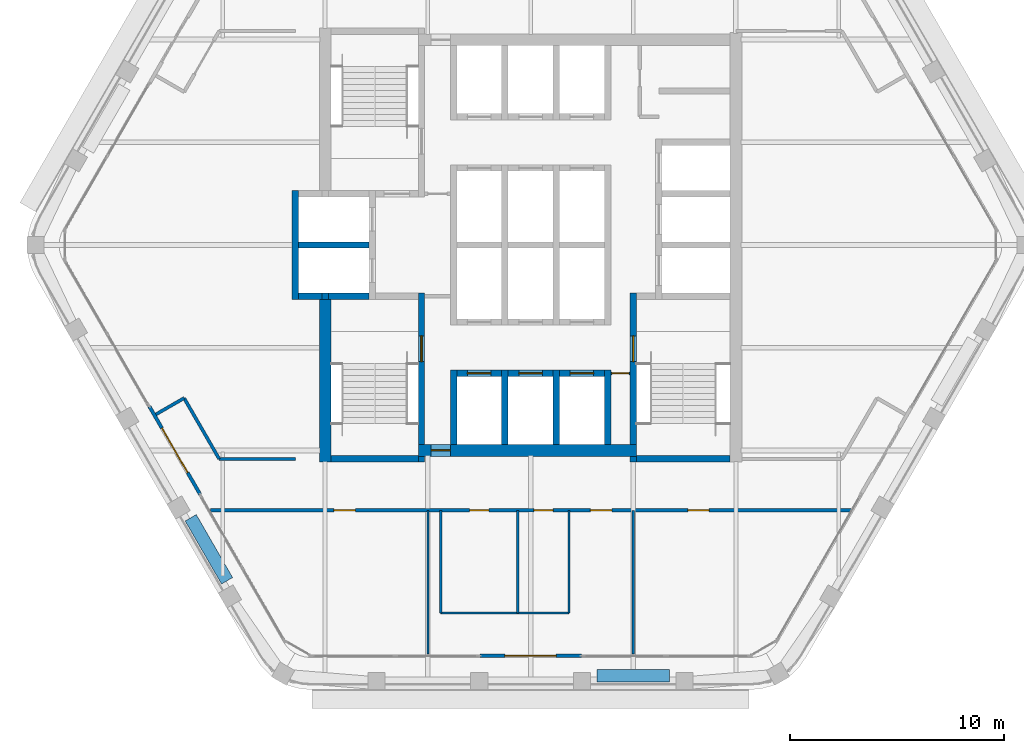
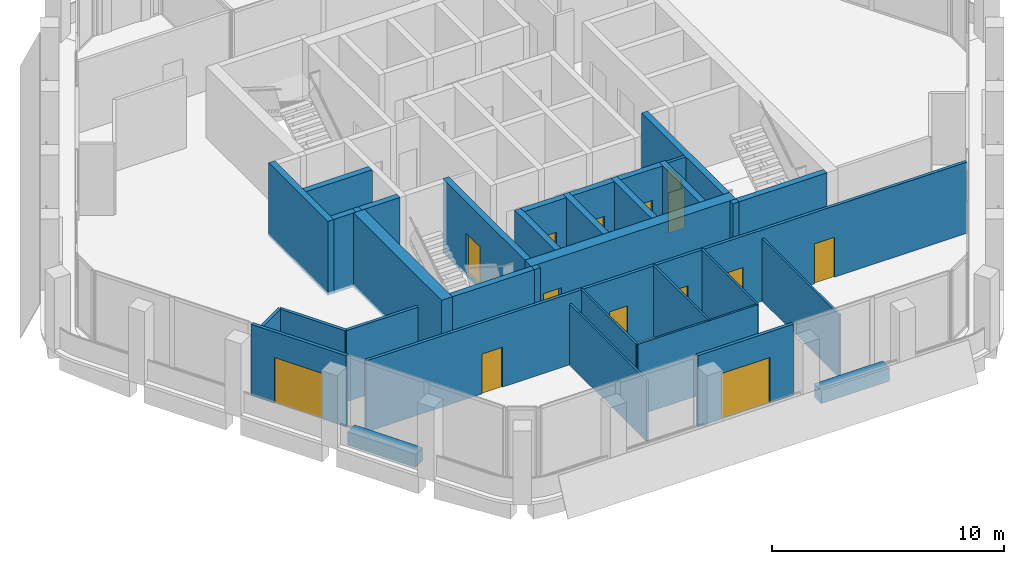
# One storey, part 10 of 16: 35 walls, 14 doors, 14 openings.
"""IFC4 building model written with IfcOpenShell, lengths in metres."""

from ifc_helpers import new_model, si_unit, direction, frame, frame_2d, origin, place, context, subcontext, project, spatial, rectangle, extrude, material, layer, layer_set, type_object, element, fill, save


model = new_model("IFC4")

# Units and contexts
model_context = context("Model", 3, precision=1e-05, world=origin(), true_north=direction((0.0, 1.0)))
body_context = subcontext(model_context, "Body", "Model", "MODEL_VIEW")
ifc_project = project(units=[si_unit("LENGTHUNIT", "METRE"), si_unit("AREAUNIT", "SQUARE_METRE"), si_unit("VOLUMEUNIT", "CUBIC_METRE"), si_unit("PLANEANGLEUNIT", "RADIAN"), si_unit("MASSUNIT", "GRAM", prefix="KILO")], contexts=[model_context])

# Site, building, storey
site_placement = place(None, origin())
site = spatial("IfcSite", under=ifc_project, at=site_placement, CompositionType="ELEMENT")
building_placement = place(site_placement, origin())
building = spatial("IfcBuilding", under=site, at=building_placement, Name="Kolab Exchange Tower", CompositionType="ELEMENT")
storey_placement = place(building_placement, frame((0.0, 0.0, 269.60009765625)))
storey = spatial("IfcBuildingStorey", under=building, at=storey_placement, Name="L60", CompositionType="ELEMENT", Elevation=269.60009765625)

# Wall, opening, door
ifc_material_1 = material(Name="Concrete C50/60", Category="concrete")
ifc_layer_1 = layer(ifc_material_1, 0.550048828125)
ifc_layer_set_1 = layer_set([ifc_layer_1], Name="Concrete C50/60")
wall_type_1 = type_object("IfcWallType", Name="CORE WALL 550 C50/60", PredefinedType="SHEAR", material=ifc_layer_set_1)
wall_1_placement = place(storey_placement, frame((-5.25, -9.60009765625, -0.150146484375), z_axis=(0.0, 0.0, 1.0), x_axis=(1.0, 0.0, 0.0)))
wall_1 = element("IfcWall", 1, at=wall_1_placement, inside=storey, type_object=wall_type_1, Name="wall/L60/core/002", PredefinedType="SHEAR", context=body_context, shape_type="SweptSolid", body=[
    extrude(rectangle(XDim=10.199951171875, YDim=0.550048828125, at=frame_2d((5.10009765625, 0.0))), origin(), (0.0, 0.0, 1.0), 3.900146484375),
])
opening_1_placement = place(wall_1_placement, frame((0.60009765625, 0.0, 0.14990234375)))
opening_1 = element("IfcOpeningElement", 2, at=opening_1_placement, cuts=wall_1, Name="Opening D6-297", PredefinedType="OPENING", context=body_context, shape_type="SweptSolid", body=[
    extrude(rectangle(XDim=0.89990234375, YDim=2.10009765625, at=frame_2d((0.449951171875, 1.050048828125))), frame((0.0, 0.28515625, 0.0), z_axis=(0.0, -1.0, 0.0), x_axis=(1.0, 0.0, 0.0)), (0.0, 0.0, 1.0), 0.570068359375),
])
ifc_material_2 = material(Name="Steel S235", Category="steel")
door_type_1 = type_object("IfcDoorType", Name="CORE DOOR 900 EI 120", OperationType="SINGLE_SWING_LEFT", PredefinedType="DOOR", material=ifc_material_2)
door_1_placement = place(opening_1_placement, origin())
door_1 = element("IfcDoor", 3, at=door_1_placement, inside=storey, type_object=door_type_1, Name="Core lobby door", OperationType="SINGLE_SWING_RIGHT", OverallHeight=2.10009765625, OverallWidth=0.89990234375, PredefinedType="DOOR", context=body_context, shape_type="SweptSolid", body=[
    extrude(rectangle(XDim=0.89990234375, YDim=2.10009765625, at=frame_2d((0.449951171875, 1.050048828125))), frame((0.0, 0.02490234375, 0.0), z_axis=(0.0, -1.0, 0.0), x_axis=(1.0, 0.0, 0.0)), (0.0, 0.0, 1.0), 0.050048828125),
])
fill(opening_1, door_1)

# Wall
wall_2_placement = place(storey_placement, frame((-9.60009765625, -10.14990234375, -0.150146484375), z_axis=(0.0, 0.0, 1.0), x_axis=(0.0, 1.0, 0.0)))
element("IfcWall", 4, at=wall_2_placement, inside=storey, type_object=wall_type_1, Name="wall/L60/core/034", PredefinedType="SHEAR", context=body_context, shape_type="SweptSolid", body=[
    extrude(rectangle(XDim=7.599853515625, YDim=0.550048828125, at=frame_2d((3.7998046875, 0.0))), origin(), (0.0, 0.0, 1.0), 3.900146484375),
])

# Wall, opening, door
ifc_material_3 = material(Name="Aluminium EN AW-6063 T6", Category="aluminium")
ifc_layer_2 = layer(ifc_material_3, 0.159912109375)
ifc_layer_set_2 = layer_set([ifc_layer_2], Name="Aluminium EN AW-6063 T6")
wall_type_2 = type_object("IfcWallType", Name="DOOR SURROUND WALL 160 ALUMINIUM FRAMED", PredefinedType="PARTITIONING", material=ifc_layer_set_2)
wall_3_placement = place(storey_placement, frame((2.3701171875, -19.20458984375, 0.0), z_axis=(0.0, 0.0, 1.0), x_axis=(-1.0, 0.0, 0.0)))
wall_3 = element("IfcWall", 5, at=wall_3_placement, inside=storey, type_object=wall_type_2, Name="Door surround wall", PredefinedType="PARTITIONING", context=body_context, shape_type="SweptSolid", body=[
    extrude(rectangle(XDim=4.740234375, YDim=0.159912109375, at=frame_2d((2.3701171875, 0.0))), origin(), (0.0, 0.0, 1.0), 3.75),
])
opening_2_placement = place(wall_3_placement, frame((1.169921875, 0.0, 0.0)))
opening_2 = element("IfcOpeningElement", 6, at=opening_2_placement, cuts=wall_3, Name="Opening GD1-092", PredefinedType="OPENING", context=body_context, shape_type="SweptSolid", body=[
    extrude(rectangle(XDim=2.39990234375, YDim=2.39990234375, at=frame_2d((1.199951171875, 1.199951171875))), frame((0.0, 0.08984375, 0.0), z_axis=(0.0, -1.0, 0.0), x_axis=(1.0, 0.0, 0.0)), (0.0, 0.0, 1.0), 0.179931640625),
])
door_type_2 = type_object("IfcDoorType", Name="LOGGIA SLIDING GLASS DOOR 2400 X 2400", OperationType="DOUBLE_DOOR_SINGLE_SWING", PredefinedType="DOOR", material=ifc_material_3)
door_2_placement = place(opening_2_placement, origin())
door_2 = element("IfcDoor", 7, at=door_2_placement, inside=storey, type_object=door_type_2, Name="Loggia door", OperationType="DOUBLE_DOOR_SLIDING", OverallHeight=2.39990234375, OverallWidth=2.39990234375, PredefinedType="DOOR", context=body_context, shape_type="SweptSolid", body=[
    extrude(rectangle(XDim=2.39990234375, YDim=2.39990234375, at=frame_2d((1.199951171875, 1.199951171875))), frame((0.0, 0.02490234375, 0.0), z_axis=(0.0, -1.0, 0.0), x_axis=(1.0, 0.0, 0.0)), (0.0, 0.0, 1.0), 0.050048828125),
])
fill(opening_2, door_2)

wall_4_placement = place(storey_placement, frame((-15.44677734375, -11.65478515625, 0.0), z_axis=(0.0, 0.0, 1.0), x_axis=(-0.499978080042, 0.866038058908, 0.0)))
wall_4 = element("IfcWall", 8, at=wall_4_placement, inside=storey, type_object=wall_type_2, Name="Door surround wall", PredefinedType="PARTITIONING", context=body_context, shape_type="SweptSolid", body=[
    extrude(rectangle(XDim=4.739990234375, YDim=0.159912109375, at=frame_2d((2.3701171875, 0.0))), origin(), (0.0, 0.0, 1.0), 3.75),
])
opening_3_placement = place(wall_4_placement, frame((1.169921875, 0.0, 0.0)))
opening_3 = element("IfcOpeningElement", 9, at=opening_3_placement, cuts=wall_4, Name="Opening GD1-093", PredefinedType="OPENING", context=body_context, shape_type="SweptSolid", body=[
    extrude(rectangle(XDim=2.39990234375, YDim=2.39990234375, at=frame_2d((1.199951171875, 1.199951171875))), frame((0.0, 0.08984375, 0.0), z_axis=(0.0, -1.0, 0.0), x_axis=(1.0, 0.0, 0.0)), (0.0, 0.0, 1.0), 0.179931640625),
])
door_3_placement = place(opening_3_placement, origin())
door_3 = element("IfcDoor", 10, at=door_3_placement, inside=storey, type_object=door_type_2, Name="Loggia door", OperationType="DOUBLE_DOOR_SLIDING", OverallHeight=2.39990234375, OverallWidth=2.39990234375, PredefinedType="DOOR", context=body_context, shape_type="SweptSolid", body=[
    extrude(rectangle(XDim=2.39990234375, YDim=2.39990234375, at=frame_2d((1.199951171875, 1.199951171875))), frame((0.0, 0.02490234375, 0.0), z_axis=(0.0, -1.0, 0.0), x_axis=(1.0, 0.0, 0.0)), (0.0, 0.0, 1.0), 0.050048828125),
])
fill(opening_3, door_3)

ifc_layer_3 = layer(ifc_material_1, 0.300048828125)
ifc_layer_set_3 = layer_set([ifc_layer_3], Name="Concrete C50/60")
wall_type_3 = type_object("IfcWallType", Name="LIFT SHAFT WALL 300 C50/60", PredefinedType="STANDARD", material=ifc_layer_set_3)
wall_5_placement = place(storey_placement, frame((-3.449951171875, -6.0, -0.150146484375), z_axis=(0.0, 0.0, 1.0), x_axis=(1.0, 0.0, 0.0)))
wall_5 = element("IfcWall", 11, at=wall_5_placement, inside=storey, type_object=wall_type_3, Name="wall/L60/core/003", PredefinedType="STANDARD", context=body_context, shape_type="SweptSolid", body=[
    extrude(rectangle(XDim=2.099853515625, YDim=0.300048828125, at=frame_2d((1.0498046875, 0.0))), origin(), (0.0, 0.0, 1.0), 3.900146484375),
])
opening_4_placement = place(wall_5_placement, frame((0.5, 0.0, 0.14990234375)))
opening_4 = element("IfcOpeningElement", 12, at=opening_4_placement, cuts=wall_5, Name="Opening LD1-110", PredefinedType="OPENING", context=body_context, shape_type="SweptSolid", body=[
    extrude(rectangle(XDim=1.10009765625, YDim=2.10009765625, at=frame_2d((0.550048828125, 1.050048828125))), frame((0.0, 0.16015625, 0.0), z_axis=(0.0, -1.0, 0.0), x_axis=(1.0, 0.0, 0.0)), (0.0, 0.0, 1.0), 0.320068359375),
])
ifc_material_4 = material(Name="Stainless steel 316", Category="steel")
door_type_3 = type_object("IfcDoorType", Name="LANDING DOOR 1100 PASSENGER", OperationType="DOUBLE_DOOR_SLIDING", PredefinedType="DOOR", material=ifc_material_4)
door_4_placement = place(opening_4_placement, origin())
door_4 = element("IfcDoor", 13, at=door_4_placement, inside=storey, type_object=door_type_3, Name="Landing door HR10", OperationType="DOUBLE_DOOR_SLIDING", OverallHeight=2.10009765625, OverallWidth=1.10009765625, PredefinedType="DOOR", context=body_context, shape_type="SweptSolid", body=[
    extrude(rectangle(XDim=1.10009765625, YDim=2.10009765625, at=frame_2d((0.550048828125, 1.050048828125))), frame((0.0, 0.02490234375, 0.0), z_axis=(0.0, -1.0, 0.0), x_axis=(1.0, 0.0, 0.0)), (0.0, 0.0, 1.0), 0.050048828125),
])
fill(opening_4, door_4)

wall_6_placement = place(storey_placement, frame((-1.050048828125, -6.0, -0.150146484375), z_axis=(0.0, 0.0, 1.0), x_axis=(1.0, 0.0, 0.0)))
wall_6 = element("IfcWall", 14, at=wall_6_placement, inside=storey, type_object=wall_type_3, Name="wall/L60/core/004", PredefinedType="STANDARD", context=body_context, shape_type="SweptSolid", body=[
    extrude(rectangle(XDim=2.10009765625, YDim=0.300048828125, at=frame_2d((1.050048828125, 0.0))), origin(), (0.0, 0.0, 1.0), 3.900146484375),
])
opening_5_placement = place(wall_6_placement, frame((0.5, 0.0, 0.14990234375)))
opening_5 = element("IfcOpeningElement", 15, at=opening_5_placement, cuts=wall_6, Name="Opening LD1-111", PredefinedType="OPENING", context=body_context, shape_type="SweptSolid", body=[
    extrude(rectangle(XDim=1.10009765625, YDim=2.10009765625, at=frame_2d((0.550048828125, 1.050048828125))), frame((0.0, 0.16015625, 0.0), z_axis=(0.0, -1.0, 0.0), x_axis=(1.0, 0.0, 0.0)), (0.0, 0.0, 1.0), 0.320068359375),
])
door_5_placement = place(opening_5_placement, origin())
door_5 = element("IfcDoor", 16, at=door_5_placement, inside=storey, type_object=door_type_3, Name="Landing door HR11", OperationType="DOUBLE_DOOR_SLIDING", OverallHeight=2.10009765625, OverallWidth=1.10009765625, PredefinedType="DOOR", context=body_context, shape_type="SweptSolid", body=[
    extrude(rectangle(XDim=1.10009765625, YDim=2.10009765625, at=frame_2d((0.550048828125, 1.050048828125))), frame((0.0, 0.02490234375, 0.0), z_axis=(0.0, -1.0, 0.0), x_axis=(1.0, 0.0, 0.0)), (0.0, 0.0, 1.0), 0.050048828125),
])
fill(opening_5, door_5)

wall_7_placement = place(storey_placement, frame((1.35009765625, -6.0, -0.150146484375), z_axis=(0.0, 0.0, 1.0), x_axis=(1.0, 0.0, 0.0)))
wall_7 = element("IfcWall", 17, at=wall_7_placement, inside=storey, type_object=wall_type_3, Name="wall/L60/core/005", PredefinedType="STANDARD", context=body_context, shape_type="SweptSolid", body=[
    extrude(rectangle(XDim=2.099853515625, YDim=0.300048828125, at=frame_2d((1.0498046875, 0.0))), origin(), (0.0, 0.0, 1.0), 3.900146484375),
])
opening_6_placement = place(wall_7_placement, frame((0.5, 0.0, 0.14990234375)))
opening_6 = element("IfcOpeningElement", 18, at=opening_6_placement, cuts=wall_7, Name="Opening LD1-112", PredefinedType="OPENING", context=body_context, shape_type="SweptSolid", body=[
    extrude(rectangle(XDim=1.10009765625, YDim=2.10009765625, at=frame_2d((0.550048828125, 1.050048828125))), frame((0.0, 0.16015625, 0.0), z_axis=(0.0, -1.0, 0.0), x_axis=(1.0, 0.0, 0.0)), (0.0, 0.0, 1.0), 0.320068359375),
])
door_6_placement = place(opening_6_placement, origin())
door_6 = element("IfcDoor", 19, at=door_6_placement, inside=storey, type_object=door_type_3, Name="Landing door HR12", OperationType="DOUBLE_DOOR_SLIDING", OverallHeight=2.10009765625, OverallWidth=1.10009765625, PredefinedType="DOOR", context=body_context, shape_type="SweptSolid", body=[
    extrude(rectangle(XDim=1.10009765625, YDim=2.10009765625, at=frame_2d((0.550048828125, 1.050048828125))), frame((0.0, 0.02490234375, 0.0), z_axis=(0.0, -1.0, 0.0), x_axis=(1.0, 0.0, 0.0)), (0.0, 0.0, 1.0), 0.050048828125),
])
fill(opening_6, door_6)

# Walls
wall_8_placement = place(storey_placement, frame((-10.85009765625, -2.39990234375, -0.150146484375), z_axis=(0.0, 0.0, 1.0), x_axis=(1.0, 0.0, 0.0)))
element("IfcWall", 20, at=wall_8_placement, inside=storey, type_object=wall_type_3, Name="wall/L60/core/009", PredefinedType="STANDARD", context=body_context, shape_type="SweptSolid", body=[
    extrude(rectangle(XDim=1.10009765625, YDim=0.300048828125, at=frame_2d((0.550048828125, 0.0))), origin(), (0.0, 0.0, 1.0), 3.900146484375),
])
wall_9_placement = place(storey_placement, frame((-10.85009765625, 0.0, -0.150146484375), z_axis=(0.0, 0.0, 1.0), x_axis=(1.0, 0.0, 0.0)))
element("IfcWall", 21, at=wall_9_placement, inside=storey, type_object=wall_type_3, Name="wall/L60/core/014", PredefinedType="STANDARD", context=body_context, shape_type="SweptSolid", body=[
    extrude(rectangle(XDim=3.300048828125, YDim=0.300048828125, at=frame_2d((1.64990234375, 0.0))), origin(), (0.0, 0.0, 1.0), 3.900146484375),
])
wall_10_placement = place(storey_placement, frame((-11.0, -2.550048828125, -0.150146484375), z_axis=(0.0, 0.0, 1.0), x_axis=(0.0, 1.0, 0.0)))
element("IfcWall", 22, at=wall_10_placement, inside=storey, type_object=wall_type_3, Name="wall/L60/core/033", PredefinedType="STANDARD", context=body_context, shape_type="SweptSolid", body=[
    extrude(rectangle(XDim=5.10009765625, YDim=0.300048828125, at=frame_2d((2.550048828125, 0.0))), origin(), (0.0, 0.0, 1.0), 3.900146484375),
])
for number, where, z_axis, x_axis, name in (
    (23, (-3.60009765625, -9.324951171875, -0.150146484375), (0.0, 0.0, 1.0), (0.0, 1.0, 0.0), "wall/L60/core/043"),
    (24, (-1.199951171875, -9.324951171875, -0.150146484375), (0.0, 0.0, 1.0), (0.0, 1.0, 0.0), "wall/L60/core/046"),
    (25, (1.199951171875, -9.324951171875, -0.150146484375), (0.0, 0.0, 1.0), (0.0, 1.0, 0.0), "wall/L60/core/049"),
    (26, (3.60009765625, -9.324951171875, -0.150146484375), (0.0, 0.0, 1.0), (0.0, 1.0, 0.0), "wall/L60/core/052"),
):
    element("IfcWall", number, at=place(storey_placement, frame(where, z_axis=z_axis, x_axis=x_axis)), inside=storey, type_object=wall_type_3, Name=name, PredefinedType="STANDARD", context=body_context, shape_type="SweptSolid", body=[
        extrude(rectangle(XDim=3.474853515625, YDim=0.300048828125, at=frame_2d((1.7373046875, 0.0))), origin(), (0.0, 0.0, 1.0), 3.900146484375),
    ])
ifc_material_5 = material(Name="Gypsum board", Category="gypsum")
ifc_layer_4 = layer(ifc_material_5, 0.10009765625)
ifc_layer_set_4 = layer_set([ifc_layer_4], Name="Gypsum board")
wall_type_4 = type_object("IfcWallType", Name="PARTITION 100", PredefinedType="PARTITIONING", material=ifc_layer_set_4)
wall_11_placement = place(storey_placement, frame((4.800048828125, -19.114501953125, 0.0), z_axis=(0.0, 0.0, 1.0), x_axis=(0.0, 1.0, 0.0)))
element("IfcWall", 27, at=wall_11_placement, inside=storey, type_object=wall_type_4, Name="Partition 002", PredefinedType="PARTITIONING", context=body_context, shape_type="SweptSolid", body=[
    extrude(rectangle(XDim=6.714599609375, YDim=0.10009765625, at=frame_2d((3.357421875, 0.0))), origin(), (0.0, 0.0, 1.0), 3.29296875),
])
for number, where, z_axis, x_axis, name in (
    (28, (1.800048828125, -17.199951171875, 0.0), (0.0, 0.0, 1.0), (0.0, 1.0, 0.0), "Partition 003"),
    (29, (-0.60009765625, -17.199951171875, 0.0), (0.0, 0.0, 1.0), (0.0, 1.0, 0.0), "Partition 004"),
    (30, (-4.199951171875, -17.199951171875, 0.0), (0.0, 0.0, 1.0), (0.0, 1.0, 0.0), "Partition 005"),
):
    element("IfcWall", number, at=place(storey_placement, frame(where, z_axis=z_axis, x_axis=x_axis)), inside=storey, type_object=wall_type_4, Name=name, PredefinedType="PARTITIONING", context=body_context, shape_type="SweptSolid", body=[
        extrude(rectangle(XDim=4.800048828125, YDim=0.10009765625, at=frame_2d((2.39990234375, 0.0))), origin(), (0.0, 0.0, 1.0), 3.75),
    ])
wall_12_placement = place(storey_placement, frame((-4.800048828125, -19.114501953125, 0.0), z_axis=(0.0, 0.0, 1.0), x_axis=(0.0, 1.0, 0.0)))
element("IfcWall", 31, at=wall_12_placement, inside=storey, type_object=wall_type_4, Name="Partition 006", PredefinedType="PARTITIONING", context=body_context, shape_type="SweptSolid", body=[
    extrude(rectangle(XDim=6.714599609375, YDim=0.10009765625, at=frame_2d((3.357421875, 0.0))), origin(), (0.0, 0.0, 1.0), 3.216796875),
])
wall_13_placement = place(storey_placement, frame((-4.199951171875, -17.199951171875, 0.0), z_axis=(0.0, 0.0, 1.0), x_axis=(1.0, 0.0, 0.0)))
element("IfcWall", 32, at=wall_13_placement, inside=storey, type_object=wall_type_4, Name="Partition 016", PredefinedType="PARTITIONING", context=body_context, shape_type="SweptSolid", body=[
    extrude(rectangle(XDim=6.0, YDim=0.10009765625, at=frame_2d((3.0, 0.0))), origin(), (0.0, 0.0, 1.0), 3.75),
])
ifc_layer_5 = layer(ifc_material_5, 0.14990234375)
ifc_layer_set_5 = layer_set([ifc_layer_5], Name="Gypsum board")
wall_type_5 = type_object("IfcWallType", Name="PARTITION 150 FIRE-RATED", PredefinedType="PARTITIONING", material=ifc_layer_set_5)
wall_14_placement = place(storey_placement, frame((-16.196044921875, -7.15673828125, 0.0), z_axis=(0.0, 0.0, 1.0), x_axis=(0.499954196102, -0.866051847062, 0.0)))
element("IfcWall", 33, at=wall_14_placement, inside=storey, type_object=wall_type_5, Name="Partition 008", PredefinedType="PARTITIONING", context=body_context, shape_type="SweptSolid", body=[
    extrude(rectangle(XDim=3.282958984375, YDim=0.14990234375, at=frame_2d((1.6416015625, 0.0))), origin(), (0.0, 0.0, 1.0), 3.75),
])
wall_15_placement = place(storey_placement, frame((-17.512451171875, -7.9169921875, 0.0), z_axis=(0.0, 0.0, 1.0), x_axis=(0.865960906633, 0.500111695708, 0.0)))
element("IfcWall", 34, at=wall_15_placement, inside=storey, type_object=wall_type_5, Name="Partition 015", PredefinedType="PARTITIONING", context=body_context, shape_type="SweptSolid", body=[
    extrude(rectangle(XDim=1.520263671875, YDim=0.14990234375, at=frame_2d((0.76025390625, 0.0))), origin(), (0.0, 0.0, 1.0), 3.75),
])

# Wall, openings, doors
wall_16_placement = place(storey_placement, frame((-14.97021484375, -12.39990234375, 0.0), z_axis=(0.0, 0.0, 1.0), x_axis=(1.0, 0.0, 0.0)))
wall_16 = element("IfcWall", 35, at=wall_16_placement, inside=storey, type_object=wall_type_5, Name="Partition 017", PredefinedType="PARTITIONING", context=body_context, shape_type="SweptSolid", body=[
    extrude(rectangle(XDim=29.9404296875, YDim=0.14990234375, at=frame_2d((14.97021484375, 0.0))), origin(), (0.0, 0.0, 1.0), 3.75),
])
opening_7_placement = place(wall_16_placement, frame((5.777099609375, 0.0, 0.0)))
opening_7 = element("IfcOpeningElement", 36, at=opening_7_placement, cuts=wall_16, Name="Opening D1-724", PredefinedType="OPENING", context=body_context, shape_type="SweptSolid", body=[
    extrude(rectangle(XDim=1.0, YDim=2.10009765625, at=frame_2d((0.5, 1.050048828125))), frame((0.0, 0.0849609375, 0.0), z_axis=(0.0, -1.0, 0.0), x_axis=(1.0, 0.0, 0.0)), (0.0, 0.0, 1.0), 0.169921875),
])
opening_8_placement = place(wall_16_placement, frame((17.770263671875, 0.0, 0.0)))
opening_8 = element("IfcOpeningElement", 37, at=opening_8_placement, cuts=wall_16, Name="Opening D1-725", PredefinedType="OPENING", context=body_context, shape_type="SweptSolid", body=[
    extrude(rectangle(XDim=1.0, YDim=2.10009765625, at=frame_2d((0.5, 1.050048828125))), frame((0.0, 0.0849609375, 0.0), z_axis=(0.0, -1.0, 0.0), x_axis=(1.0, 0.0, 0.0)), (0.0, 0.0, 1.0), 0.169921875),
])
opening_9_placement = place(wall_16_placement, frame((22.322509765625, 0.0, 0.0)))
opening_9 = element("IfcOpeningElement", 38, at=opening_9_placement, cuts=wall_16, Name="Opening D1-726", PredefinedType="OPENING", context=body_context, shape_type="SweptSolid", body=[
    extrude(rectangle(XDim=1.0, YDim=2.10009765625, at=frame_2d((0.5, 1.050048828125))), frame((0.0, 0.0849609375, 0.0), z_axis=(0.0, -1.0, 0.0), x_axis=(1.0, 0.0, 0.0)), (0.0, 0.0, 1.0), 0.169921875),
])
opening_10_placement = place(wall_16_placement, frame((12.1201171875, 0.0, 0.0)))
opening_10 = element("IfcOpeningElement", 39, at=opening_10_placement, cuts=wall_16, Name="Opening D3-086", PredefinedType="OPENING", context=body_context, shape_type="SweptSolid", body=[
    extrude(rectangle(XDim=0.89990234375, YDim=2.10009765625, at=frame_2d((0.449951171875, 1.050048828125))), frame((0.0, 0.0849609375, 0.0), z_axis=(0.0, -1.0, 0.0), x_axis=(1.0, 0.0, 0.0)), (0.0, 0.0, 1.0), 0.169921875),
])
opening_11_placement = place(wall_16_placement, frame((15.1201171875, 0.0, 0.0)))
opening_11 = element("IfcOpeningElement", 40, at=opening_11_placement, cuts=wall_16, Name="Opening D3-087", PredefinedType="OPENING", context=body_context, shape_type="SweptSolid", body=[
    extrude(rectangle(XDim=0.89990234375, YDim=2.10009765625, at=frame_2d((0.449951171875, 1.050048828125))), frame((0.0, 0.0849609375, 0.0), z_axis=(0.0, -1.0, 0.0), x_axis=(1.0, 0.0, 0.0)), (0.0, 0.0, 1.0), 0.169921875),
])
door_type_4 = type_object("IfcDoorType", Name="FLUSH DOOR 1000 FD60", OperationType="SINGLE_SWING_LEFT", PredefinedType="DOOR", material=ifc_material_2)
door_7_placement = place(opening_7_placement, frame((1.0, 0.0, 0.0), z_axis=(0.0, 0.0, 1.0), x_axis=(-1.0, 0.0, 0.0)))
door_7 = element("IfcDoor", 41, at=door_7_placement, inside=storey, type_object=door_type_4, Name="Door L60-031", OperationType="SINGLE_SWING_RIGHT", OverallHeight=2.10009765625, OverallWidth=1.0, PredefinedType="DOOR", context=body_context, shape_type="SweptSolid", body=[
    extrude(rectangle(XDim=1.0, YDim=2.10009765625, at=frame_2d((0.5, 1.050048828125))), frame((0.0, 0.02490234375, 0.0), z_axis=(0.0, -1.0, 0.0), x_axis=(1.0, 0.0, 0.0)), (0.0, 0.0, 1.0), 0.050048828125),
])
fill(opening_7, door_7)
door_8_placement = place(opening_8_placement, frame((1.0, 0.0, 0.0), z_axis=(0.0, 0.0, 1.0), x_axis=(-1.0, 0.0, 0.0)))
door_8 = element("IfcDoor", 42, at=door_8_placement, inside=storey, type_object=door_type_4, Name="Door L60-032", OperationType="SINGLE_SWING_LEFT", OverallHeight=2.10009765625, OverallWidth=1.0, PredefinedType="DOOR", context=body_context, shape_type="SweptSolid", body=[
    extrude(rectangle(XDim=1.0, YDim=2.10009765625, at=frame_2d((0.5, 1.050048828125))), frame((0.0, 0.02490234375, 0.0), z_axis=(0.0, -1.0, 0.0), x_axis=(1.0, 0.0, 0.0)), (0.0, 0.0, 1.0), 0.050048828125),
])
fill(opening_8, door_8)
door_9_placement = place(opening_9_placement, frame((1.0, 0.0, 0.0), z_axis=(0.0, 0.0, 1.0), x_axis=(-1.0, 0.0, 0.0)))
door_9 = element("IfcDoor", 43, at=door_9_placement, inside=storey, type_object=door_type_4, Name="Door L60-033", OperationType="SINGLE_SWING_LEFT", OverallHeight=2.10009765625, OverallWidth=1.0, PredefinedType="DOOR", context=body_context, shape_type="SweptSolid", body=[
    extrude(rectangle(XDim=1.0, YDim=2.10009765625, at=frame_2d((0.5, 1.050048828125))), frame((0.0, 0.02490234375, 0.0), z_axis=(0.0, -1.0, 0.0), x_axis=(1.0, 0.0, 0.0)), (0.0, 0.0, 1.0), 0.050048828125),
])
fill(opening_9, door_9)
door_type_5 = type_object("IfcDoorType", Name="FLUSH DOOR 900 FD60", OperationType="SINGLE_SWING_LEFT", PredefinedType="DOOR", material=ifc_material_2)
door_10_placement = place(opening_10_placement, frame((0.89990234375, 0.0, 0.0), z_axis=(0.0, 0.0, 1.0), x_axis=(-1.0, 0.0, 0.0)))
door_10 = element("IfcDoor", 44, at=door_10_placement, inside=storey, type_object=door_type_5, Name="Door L60-037", OperationType="SINGLE_SWING_LEFT", OverallHeight=2.10009765625, OverallWidth=0.89990234375, PredefinedType="DOOR", context=body_context, shape_type="SweptSolid", body=[
    extrude(rectangle(XDim=0.89990234375, YDim=2.10009765625, at=frame_2d((0.449951171875, 1.050048828125))), frame((0.0, 0.02490234375, 0.0), z_axis=(0.0, -1.0, 0.0), x_axis=(1.0, 0.0, 0.0)), (0.0, 0.0, 1.0), 0.050048828125),
])
fill(opening_10, door_10)
door_11_placement = place(opening_11_placement, frame((0.89990234375, 0.0, 0.0), z_axis=(0.0, 0.0, 1.0), x_axis=(-1.0, 0.0, 0.0)))
door_11 = element("IfcDoor", 45, at=door_11_placement, inside=storey, type_object=door_type_5, Name="Door L60-038", OperationType="SINGLE_SWING_LEFT", OverallHeight=2.10009765625, OverallWidth=0.89990234375, PredefinedType="DOOR", context=body_context, shape_type="SweptSolid", body=[
    extrude(rectangle(XDim=0.89990234375, YDim=2.10009765625, at=frame_2d((0.449951171875, 1.050048828125))), frame((0.0, 0.02490234375, 0.0), z_axis=(0.0, -1.0, 0.0), x_axis=(1.0, 0.0, 0.0)), (0.0, 0.0, 1.0), 0.050048828125),
])
fill(opening_11, door_11)

# Wall
wall_17_placement = place(storey_placement, frame((-14.5546875, -10.0, 0.0), z_axis=(0.0, 0.0, 1.0), x_axis=(1.0, 0.0, 0.0)))
element("IfcWall", 46, at=wall_17_placement, inside=storey, type_object=wall_type_5, Name="Partition 018", PredefinedType="PARTITIONING", context=body_context, shape_type="SweptSolid", body=[
    extrude(rectangle(XDim=3.5546875, YDim=0.14990234375, at=frame_2d((1.77734375, 0.0))), origin(), (0.0, 0.0, 1.0), 3.75),
])

# Wall, opening, door
wall_18_placement = place(storey_placement, frame((3.75, -6.0, 0.0), z_axis=(0.0, 0.0, 1.0), x_axis=(1.0, 0.0, 0.0)))
wall_18 = element("IfcWall", 47, at=wall_18_placement, inside=storey, type_object=wall_type_5, Name="Partition 020", PredefinedType="PARTITIONING", context=body_context, shape_type="SweptSolid", body=[
    extrude(rectangle(XDim=0.89990234375, YDim=0.14990234375, at=frame_2d((0.449951171875, 0.0))), origin(), (0.0, 0.0, 1.0), 3.75),
])
opening_12_placement = place(wall_18_placement, frame((0.050048828125, 0.0, 0.0)))
opening_12 = element("IfcOpeningElement", 48, at=opening_12_placement, cuts=wall_18, Name="Opening D7-041", PredefinedType="OPENING", context=body_context, shape_type="SweptSolid", body=[
    extrude(rectangle(XDim=0.800048828125, YDim=2.10009765625, at=frame_2d((0.39990234375, 1.050048828125))), frame((0.0, 0.0849609375, 0.0), z_axis=(0.0, -1.0, 0.0), x_axis=(1.0, 0.0, 0.0)), (0.0, 0.0, 1.0), 0.169921875),
])
door_type_6 = type_object("IfcDoorType", Name="FLUSH DOOR 800 FD60", OperationType="SINGLE_SWING_LEFT", PredefinedType="DOOR", material=ifc_material_2)
door_12_placement = place(opening_12_placement, frame((0.800048828125, 0.0, 0.0), z_axis=(0.0, 0.0, 1.0), x_axis=(-1.0, 0.0, 0.0)))
door_12 = element("IfcDoor", 49, at=door_12_placement, inside=storey, type_object=door_type_6, Name="Door L60-024", OperationType="SINGLE_SWING_RIGHT", OverallHeight=2.10009765625, OverallWidth=0.800048828125, PredefinedType="DOOR", context=body_context, shape_type="SweptSolid", body=[
    extrude(rectangle(XDim=0.800048828125, YDim=2.10009765625, at=frame_2d((0.39990234375, 1.050048828125))), frame((0.0, 0.02490234375, 0.0), z_axis=(0.0, -1.0, 0.0), x_axis=(1.0, 0.0, 0.0)), (0.0, 0.0, 1.0), 0.050048828125),
])
fill(opening_12, door_12)

# Walls
ifc_material_6 = material(Name="Granite facing", Category="masonry")
ifc_layer_6 = layer(ifc_material_6, 0.0400390625)
ifc_material_7 = material(Name="Concrete C40/50 precast", Category="concrete")
ifc_layer_7 = layer(ifc_material_7, 0.56005859375)
ifc_layer_set_6 = layer_set([ifc_layer_6, ifc_layer_7], Name="Concrete C40/50 precast")
wall_type_6 = type_object("IfcWallType", Name="PLANTER BOX 600 X 700 SOIL DEPTH 550", PredefinedType="USERDEFINED", material=ifc_layer_set_6)
wall_19_placement = place(storey_placement, frame((6.5, -20.134521484375, 0.0), z_axis=(0.0, 0.0, 1.0), x_axis=(-1.0, 0.0, 0.0)))
element("IfcWall", 50, at=wall_19_placement, inside=storey, type_object=wall_type_6, Name="Planter", ObjectType="PLANTER", PredefinedType="USERDEFINED", context=body_context, shape_type="SweptSolid", body=[
    extrude(rectangle(XDim=3.39990234375, YDim=0.60009765625, at=frame_2d((1.699951171875, 0.0))), origin(), (0.0, 0.0, 1.0), 0.699951171875),
])
wall_20_placement = place(storey_placement, frame((-14.18701171875, -15.696533203125, 0.0), z_axis=(0.0, 0.0, 1.0), x_axis=(-0.499977295307, 0.866038511948, 0.0)))
element("IfcWall", 51, at=wall_20_placement, inside=storey, type_object=wall_type_6, Name="Planter", ObjectType="PLANTER", PredefinedType="USERDEFINED", context=body_context, shape_type="SweptSolid", body=[
    extrude(rectangle(XDim=3.400146484375, YDim=0.60009765625, at=frame_2d((1.7001953125, 0.0))), origin(), (0.0, 0.0, 1.0), 0.699951171875),
])
ifc_layer_8 = layer(ifc_material_1, 0.300048828125)
ifc_layer_set_7 = layer_set([ifc_layer_8], Name="Concrete C50/60")
wall_type_7 = type_object("IfcWallType", Name="STAIR ENCLOSURE WALL 300 C50/60", PredefinedType="STANDARD", material=ifc_layer_set_7)
wall_21_placement = place(storey_placement, frame((-9.324951171875, -10.0, -0.150146484375), z_axis=(0.0, 0.0, 1.0), x_axis=(1.0, 0.0, 0.0)))
element("IfcWall", 52, at=wall_21_placement, inside=storey, type_object=wall_type_7, Name="wall/L60/core/000", PredefinedType="STANDARD", context=body_context, shape_type="SweptSolid", body=[
    extrude(rectangle(XDim=4.074951171875, YDim=0.300048828125, at=frame_2d((2.03759765625, 0.0))), origin(), (0.0, 0.0, 1.0), 3.900146484375),
])
wall_22_placement = place(storey_placement, frame((4.949951171875, -10.0, -0.150146484375), z_axis=(0.0, 0.0, 1.0), x_axis=(1.0, 0.0, 0.0)))
element("IfcWall", 53, at=wall_22_placement, inside=storey, type_object=wall_type_7, Name="wall/L60/core/001", PredefinedType="STANDARD", context=body_context, shape_type="SweptSolid", body=[
    extrude(rectangle(XDim=4.375, YDim=0.300048828125, at=frame_2d((2.1875, 0.0))), origin(), (0.0, 0.0, 1.0), 3.900146484375),
])
wall_23_placement = place(storey_placement, frame((-9.449951171875, -2.39990234375, -0.150146484375), z_axis=(0.0, 0.0, 1.0), x_axis=(1.0, 0.0, 0.0)))
element("IfcWall", 54, at=wall_23_placement, inside=storey, type_object=wall_type_7, Name="wall/L60/core/010", PredefinedType="STANDARD", context=body_context, shape_type="SweptSolid", body=[
    extrude(rectangle(XDim=1.89990234375, YDim=0.300048828125, at=frame_2d((0.949951171875, 0.0))), origin(), (0.0, 0.0, 1.0), 3.900146484375),
])
wall_24_placement = place(storey_placement, frame((-9.60009765625, -2.550048828125, -0.150146484375), z_axis=(0.0, 0.0, 1.0), x_axis=(0.0, 1.0, 0.0)))
element("IfcWall", 55, at=wall_24_placement, inside=storey, type_object=wall_type_7, Name="wall/L60/core/035", PredefinedType="STANDARD", context=body_context, shape_type="SweptSolid", body=[
    extrude(rectangle(XDim=0.300048828125, YDim=0.300048828125, at=frame_2d((0.14990234375, 0.0))), origin(), (0.0, 0.0, 1.0), 3.900146484375),
])
wall_25_placement = place(storey_placement, frame((-5.10009765625, -10.14990234375, -0.150146484375), z_axis=(0.0, 0.0, 1.0), x_axis=(0.0, 1.0, 0.0)))
element("IfcWall", 56, at=wall_25_placement, inside=storey, type_object=wall_type_7, Name="wall/L60/core/039", PredefinedType="STANDARD", context=body_context, shape_type="SweptSolid", body=[
    extrude(rectangle(XDim=0.27490234375, YDim=0.300048828125, at=frame_2d((0.137451171875, 0.0))), origin(), (0.0, 0.0, 1.0), 3.900146484375),
])

# Wall, opening, door
wall_26_placement = place(storey_placement, frame((-5.10009765625, -9.324951171875, -0.150146484375), z_axis=(0.0, 0.0, 1.0), x_axis=(0.0, 1.0, 0.0)))
wall_26 = element("IfcWall", 57, at=wall_26_placement, inside=storey, type_object=wall_type_7, Name="wall/L60/core/040", PredefinedType="STANDARD", context=body_context, shape_type="SweptSolid", body=[
    extrude(rectangle(XDim=7.074951171875, YDim=0.300048828125, at=frame_2d((3.53759765625, 0.0))), origin(), (0.0, 0.0, 1.0), 3.900146484375),
])
opening_13_placement = place(wall_26_placement, frame((3.875, 0.0, 0.14990234375)))
opening_13 = element("IfcOpeningElement", 58, at=opening_13_placement, cuts=wall_26, Name="Opening D4-078", PredefinedType="OPENING", context=body_context, shape_type="SweptSolid", body=[
    extrude(rectangle(XDim=1.199951171875, YDim=2.10009765625, at=frame_2d((0.60009765625, 1.050048828125))), frame((0.0, 0.16015625, 0.0), z_axis=(0.0, -1.0, 0.0), x_axis=(1.0, 0.0, 0.0)), (0.0, 0.0, 1.0), 0.320068359375),
])
door_type_7 = type_object("IfcDoorType", Name="STAIR DOOR 1200 EI 120", OperationType="SINGLE_SWING_LEFT", PredefinedType="DOOR", material=ifc_material_2)
door_13_placement = place(opening_13_placement, origin())
door_13 = element("IfcDoor", 59, at=door_13_placement, inside=storey, type_object=door_type_7, Name="Stair 3 door", OperationType="SINGLE_SWING_RIGHT", OverallHeight=2.10009765625, OverallWidth=1.199951171875, PredefinedType="DOOR", context=body_context, shape_type="SweptSolid", body=[
    extrude(rectangle(XDim=1.199951171875, YDim=2.10009765625, at=frame_2d((0.60009765625, 1.050048828125))), frame((0.0, 0.02490234375, 0.0), z_axis=(0.0, -1.0, 0.0), x_axis=(1.0, 0.0, 0.0)), (0.0, 0.0, 1.0), 0.050048828125),
])
fill(opening_13, door_13)

# Wall
wall_27_placement = place(storey_placement, frame((4.800048828125, -10.14990234375, -0.150146484375), z_axis=(0.0, 0.0, 1.0), x_axis=(0.0, 1.0, 0.0)))
element("IfcWall", 60, at=wall_27_placement, inside=storey, type_object=wall_type_7, Name="wall/L60/core/055", PredefinedType="STANDARD", context=body_context, shape_type="SweptSolid", body=[
    extrude(rectangle(XDim=0.27490234375, YDim=0.300048828125, at=frame_2d((0.137451171875, 0.0))), origin(), (0.0, 0.0, 1.0), 3.900146484375),
])

# Wall, opening, door
wall_28_placement = place(storey_placement, frame((4.800048828125, -9.324951171875, -0.150146484375), z_axis=(0.0, 0.0, 1.0), x_axis=(0.0, 1.0, 0.0)))
wall_28 = element("IfcWall", 61, at=wall_28_placement, inside=storey, type_object=wall_type_7, Name="wall/L60/core/056", PredefinedType="STANDARD", context=body_context, shape_type="SweptSolid", body=[
    extrude(rectangle(XDim=7.074951171875, YDim=0.300048828125, at=frame_2d((3.53759765625, 0.0))), origin(), (0.0, 0.0, 1.0), 3.900146484375),
])
opening_14_placement = place(wall_28_placement, frame((3.875, 0.0, 0.14990234375)))
opening_14 = element("IfcOpeningElement", 62, at=opening_14_placement, cuts=wall_28, Name="Opening D4-077", PredefinedType="OPENING", context=body_context, shape_type="SweptSolid", body=[
    extrude(rectangle(XDim=1.199951171875, YDim=2.10009765625, at=frame_2d((0.60009765625, 1.050048828125))), frame((0.0, 0.16015625, 0.0), z_axis=(0.0, -1.0, 0.0), x_axis=(1.0, 0.0, 0.0)), (0.0, 0.0, 1.0), 0.320068359375),
])
door_14_placement = place(opening_14_placement, frame((1.199951171875, 0.0, 0.0), z_axis=(0.0, 0.0, 1.0), x_axis=(-1.0, 0.0, 0.0)))
door_14 = element("IfcDoor", 63, at=door_14_placement, inside=storey, type_object=door_type_7, Name="Stair 2 door", OperationType="SINGLE_SWING_RIGHT", OverallHeight=2.10009765625, OverallWidth=1.199951171875, PredefinedType="DOOR", context=body_context, shape_type="SweptSolid", body=[
    extrude(rectangle(XDim=1.199951171875, YDim=2.10009765625, at=frame_2d((0.60009765625, 1.050048828125))), frame((0.0, 0.02490234375, 0.0), z_axis=(0.0, -1.0, 0.0), x_axis=(1.0, 0.0, 0.0)), (0.0, 0.0, 1.0), 0.050048828125),
])
fill(opening_14, door_14)

save(model, "model.ifc")
